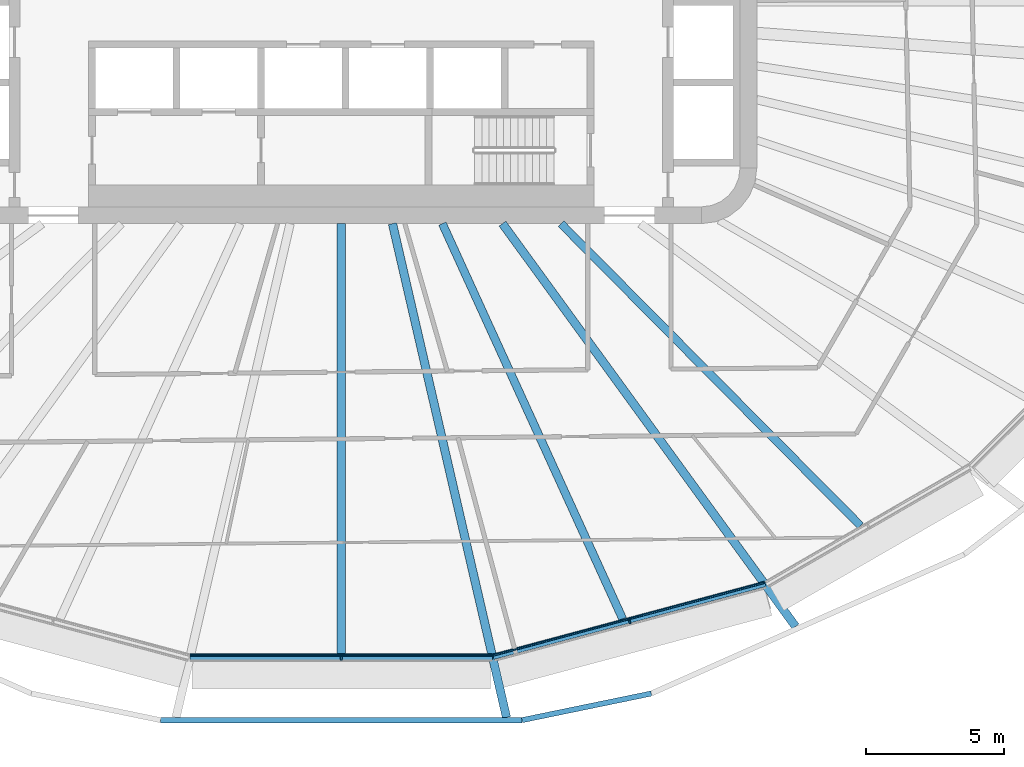
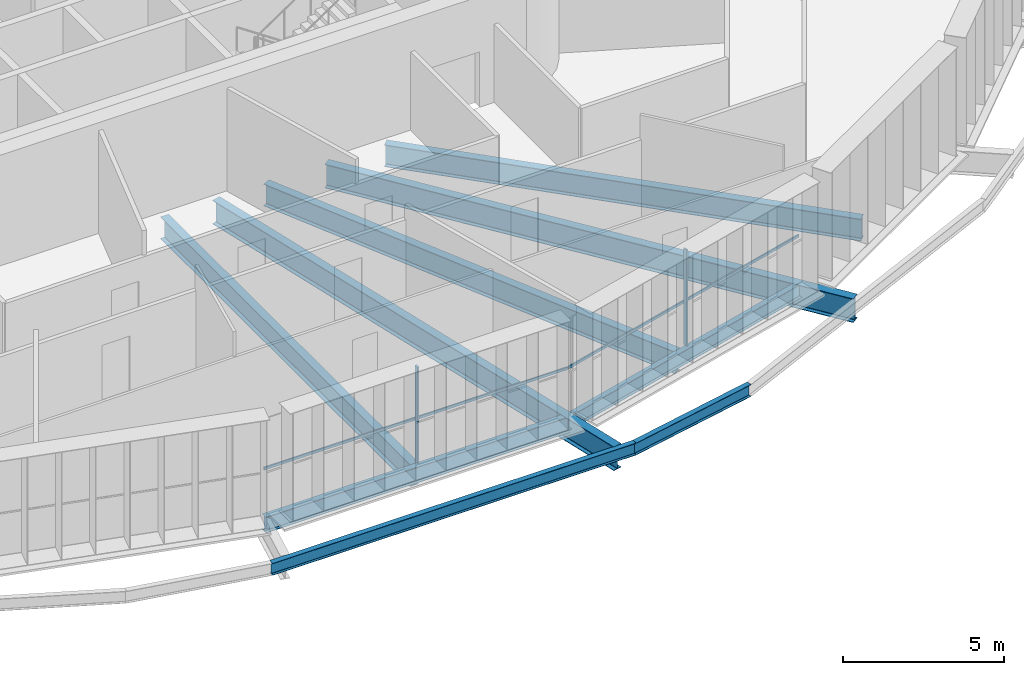
# One storey, part 4 of 26: 9 beams, 4 members, 2 elements without a shape of their own.
"""IFC4 building model written with IfcOpenShell, lengths in metres."""

from ifc_helpers import new_model, si_unit, direction, frame, origin, origin_2d, place, context, subcontext, project, spatial, rectangle, i_section, extrude, material, layer, layer_set, material_profile, profile_set, type_object, element, aggregate, save


model = new_model("IFC4")

# Units and contexts
model_context = context("Model", 3, precision=1e-05, world=origin(), true_north=direction((0.0, 1.0)))
body_context = subcontext(model_context, "Body", "Model", "MODEL_VIEW")
ifc_project = project(units=[si_unit("LENGTHUNIT", "METRE"), si_unit("AREAUNIT", "SQUARE_METRE"), si_unit("VOLUMEUNIT", "CUBIC_METRE"), si_unit("PLANEANGLEUNIT", "RADIAN"), si_unit("MASSUNIT", "GRAM", prefix="KILO")], contexts=[model_context])

# Site, building, storey
site_placement = place(None, origin())
site = spatial("IfcSite", under=ifc_project, at=site_placement, CompositionType="ELEMENT")
building_placement = place(site_placement, origin())
building = spatial("IfcBuilding", under=site, at=building_placement, Name="Sahrelin Media Tower", CompositionType="ELEMENT")
storey_placement = place(building_placement, frame((0.0, 0.0, 92.39990234375)))
storey = spatial("IfcBuildingStorey", under=building, at=storey_placement, Name="L17", CompositionType="ELEMENT", Elevation=92.39990234375)

# Beams
ifc_material_1 = material(Name="Steel S355", Category="steel")
ifc_material_profile_1 = material_profile(ifc_material_1, i_section(OverallWidth=0.208740234375, OverallDepth=0.5283203125, WebThickness=0.009521484375, FlangeThickness=0.01318359375, FilletRadius=0.0126953125, at=origin_2d()), Name="UB 533x210x82")
ifc_profile_set_1 = profile_set([ifc_material_profile_1], Name="Steel S355")
beam_type_1 = type_object("IfcBeamType", Name="Edge beam EB6", PredefinedType="BEAM", material=ifc_profile_set_1)
beam_1_placement = place(storey_placement, frame((15.306396484375, -21.001708984375, -0.4140625), z_axis=(-0.965923284876, -0.258828529599, 0.0), x_axis=(0.258828529599, -0.965923284876, 0.0)))
element("IfcBeam", 1, at=beam_1_placement, inside=storey, type_object=beam_type_1, Name="Edge beam L17-06", PredefinedType="BEAM", context=body_context, shape_type="SweptSolid", body=[
    extrude(i_section(OverallWidth=0.208740234375, OverallDepth=0.5283203125, WebThickness=0.009521484375, FlangeThickness=0.01318359375, FilletRadius=0.0126953125, at=origin_2d()), origin(), (0.0, 0.0, 1.0), 10.16455078125),
])
ifc_material_profile_2 = material_profile(ifc_material_1, i_section(OverallWidth=0.2275390625, OverallDepth=0.6025390625, WebThickness=0.010498046875, FlangeThickness=0.014892578125, FilletRadius=0.0126953125, at=origin_2d()), Name="UB 610x229x101")
ifc_profile_set_2 = profile_set([ifc_material_profile_2], Name="Steel S355")
beam_type_2 = type_object("IfcBeamType", Name="Edge beam EB7", PredefinedType="BEAM", material=ifc_profile_set_2)
beam_2_placement = place(storey_placement, frame((5.459716796875, -23.63623046875, -0.451171875), z_axis=(-1.0, 0.0, 0.0), x_axis=(0.0, -1.0, 0.0)))
element("IfcBeam", 2, at=beam_2_placement, inside=storey, type_object=beam_type_2, Name="Edge beam L17-07", PredefinedType="BEAM", context=body_context, shape_type="SweptSolid", body=[
    extrude(i_section(OverallWidth=0.2275390625, OverallDepth=0.6025390625, WebThickness=0.010498046875, FlangeThickness=0.014892578125, FilletRadius=0.0126953125, at=origin_2d()), origin(), (0.0, 0.0, 1.0), 10.91943359375),
])

# Curtain wall, member
ifc_material_2 = material(Name="Champagne anodised aluminium 6063-T6", Category="aluminium")
ifc_layer = layer(ifc_material_2, 0.14990234375)
ifc_layer_set = layer_set([ifc_layer], Name="Tower ribbon curtain wall")
curtain_wall_type = type_object("IfcCurtainWallType", Name="Tower ribbon curtain wall", PredefinedType="NOTDEFINED", material=ifc_layer_set)
curtain_wall_1_placement = place(storey_placement, frame((0.0, -23.786376953125, 0.0), z_axis=(0.0, 0.0, 1.0), x_axis=(1.0, 0.0, 0.0)))
curtain_wall_1 = element("IfcCurtainWall", 3, at=curtain_wall_1_placement, inside=storey, type_object=curtain_wall_type, Name="L17:CW:L17-18", PredefinedType="NOTDEFINED")
ifc_material_profile_3 = material_profile(ifc_material_2, rectangle(XDim=0.06005859375, YDim=0.14990234375, at=origin_2d()), Name="Mullion 60x150")
ifc_profile_set_3 = profile_set([ifc_material_profile_3], Name="Champagne anodised aluminium 6063-T6")
member_type_1 = type_object("IfcMemberType", Name="Mullion 60x150 CW1", PredefinedType="MULLION", material=ifc_profile_set_3)
member_1_placement = place(storey_placement, frame((0.0, -23.69140625, 0.0), z_axis=(0.0, 0.0, 1.0), x_axis=(1.0, 0.0, 0.0)))
member_1 = element("IfcMember", 4, at=member_1_placement, type_object=member_type_1, Name="L17:CWM:L17-18", PredefinedType="MULLION", context=body_context, shape_type="SweptSolid", body=[
    extrude(rectangle(XDim=0.06005859375, YDim=0.14990234375, at=origin_2d()), origin(), (0.0, 0.0, 1.0), 3.648681640625),
])

curtain_wall_2_placement = place(storey_placement, frame((10.436279296875, -22.462158203125, 0.0), z_axis=(0.0, 0.0, 1.0), x_axis=(1.0, 0.0, 0.0)))
curtain_wall_2 = element("IfcCurtainWall", 5, at=curtain_wall_2_placement, inside=storey, type_object=curtain_wall_type, Name="L17:CW:L17-19", PredefinedType="NOTDEFINED")
member_2_placement = place(storey_placement, frame((10.41162109375, -22.370361328125, 0.0), z_axis=(0.0, 0.0, 1.0), x_axis=(0.965926278012, 0.258817359244, 0.0)))
member_2 = element("IfcMember", 6, at=member_2_placement, type_object=member_type_1, Name="L17:CWM:L17-19", PredefinedType="MULLION", context=body_context, shape_type="SweptSolid", body=[
    extrude(rectangle(XDim=0.06005859375, YDim=0.14990234375, at=origin_2d()), origin(), (0.0, 0.0, 1.0), 3.648681640625),
])

# Beams
ifc_material_profile_4 = material_profile(ifc_material_1, i_section(OverallWidth=0.30322265625, OverallDepth=0.903076171875, WebThickness=0.01513671875, FlangeThickness=0.020263671875, FilletRadius=0.01904296875, at=origin_2d()), Name="UB 914x305x201")
ifc_profile_set_4 = profile_set([ifc_material_profile_4], Name="Steel S355")
beam_type_3 = type_object("IfcBeamType", Name="Radial primary beam PB11", PredefinedType="BEAM", material=ifc_profile_set_4)
beam_3_placement = place(storey_placement, frame((1.847900390625, -8.0, -0.601318359375), z_axis=(0.225039759271, -0.974349581386, 0.0), x_axis=(0.974349581386, 0.225039759271, 0.0)))
element("IfcBeam", 7, at=beam_3_placement, inside=storey, type_object=beam_type_3, Name="Radial beam L17-19", PredefinedType="BEAM", context=body_context, shape_type="SweptSolid", body=[
    extrude(i_section(OverallWidth=0.30322265625, OverallDepth=0.903076171875, WebThickness=0.01513671875, FlangeThickness=0.020263671875, FilletRadius=0.01904296875, at=origin_2d()), origin(), (0.0, 0.0, 1.0), 18.2998046875),
])
beam_4_placement = place(storey_placement, frame((5.8203125, -8.0, -0.601318359375), z_axis=(0.588301637605, -0.808641566574, 0.0), x_axis=(0.808641566574, 0.588301637605, 0.0)))
element("IfcBeam", 8, at=beam_4_placement, inside=storey, type_object=beam_type_3, Name="Radial beam L17-20", PredefinedType="BEAM", context=body_context, shape_type="SweptSolid", body=[
    extrude(i_section(OverallWidth=0.30322265625, OverallDepth=0.903076171875, WebThickness=0.01513671875, FlangeThickness=0.020263671875, FilletRadius=0.01904296875, at=origin_2d()), origin(), (0.0, 0.0, 1.0), 17.9853515625),
])
ifc_material_profile_5 = material_profile(ifc_material_1, i_section(OverallWidth=0.291748046875, OverallDepth=0.8349609375, WebThickness=0.013916015625, FlangeThickness=0.018798828125, FilletRadius=0.017822265625, at=origin_2d()), Name="UB 838x292x176")
ifc_profile_set_5 = profile_set([ifc_material_profile_5], Name="Steel S355")
beam_type_4 = type_object("IfcBeamType", Name="Radial secondary beam SB10", PredefinedType="BEAM", material=ifc_profile_set_5)
beam_5_placement = place(storey_placement, frame((0.0, -8.0, -0.5673828125), z_axis=(0.0, -1.0, 0.0), x_axis=(1.0, 0.0, 0.0)))
element("IfcBeam", 9, at=beam_5_placement, inside=storey, type_object=beam_type_4, Name="Secondary beam L17-18", PredefinedType="BEAM", context=body_context, shape_type="SweptSolid", body=[
    extrude(i_section(OverallWidth=0.291748046875, OverallDepth=0.8349609375, WebThickness=0.013916015625, FlangeThickness=0.018798828125, FilletRadius=0.017822265625, at=origin_2d()), origin(), (0.0, 0.0, 1.0), 15.5224609375),
])
beam_6_placement = place(storey_placement, frame((3.6494140625, -8.0, -0.5673828125), z_axis=(0.415038402282, -0.909803893502, 0.0), x_axis=(0.909803893502, 0.415038402282, 0.0)))
element("IfcBeam", 10, at=beam_6_placement, inside=storey, type_object=beam_type_4, Name="Secondary beam L17-19", PredefinedType="BEAM", context=body_context, shape_type="SweptSolid", body=[
    extrude(i_section(OverallWidth=0.291748046875, OverallDepth=0.8349609375, WebThickness=0.013916015625, FlangeThickness=0.018798828125, FilletRadius=0.017822265625, at=origin_2d()), origin(), (0.0, 0.0, 1.0), 15.687744140625),
])
beam_7_placement = place(storey_placement, frame((7.93115234375, -8.0, -0.5673828125), z_axis=(0.704056941584, -0.710143522823, 0.0), x_axis=(0.710143522823, 0.704056941584, 0.0)))
element("IfcBeam", 11, at=beam_7_placement, inside=storey, type_object=beam_type_4, Name="Secondary beam L17-20", PredefinedType="BEAM", context=body_context, shape_type="SweptSolid", body=[
    extrude(i_section(OverallWidth=0.291748046875, OverallDepth=0.8349609375, WebThickness=0.013916015625, FlangeThickness=0.018798828125, FilletRadius=0.017822265625, at=origin_2d()), origin(), (0.0, 0.0, 1.0), 15.362548828125),
])
ifc_material_profile_6 = material_profile(ifc_material_1, i_section(OverallWidth=0.1904296875, OverallDepth=0.45703125, WebThickness=0.009033203125, FlangeThickness=0.014404296875, FilletRadius=0.01025390625, at=origin_2d()), Name="UB 457x191x74")
ifc_profile_set_6 = profile_set([ifc_material_profile_6], Name="Steel S355")
beam_type_5 = type_object("IfcBeamType", Name="Tie chord TC5", PredefinedType="BEAM", material=ifc_profile_set_6)
beam_8_placement = place(storey_placement, frame((-6.52392578125, -25.925537109375, -0.37841796875), z_axis=(1.0, 0.0, 0.0), x_axis=(0.0, 1.0, 0.0)))
element("IfcBeam", 12, at=beam_8_placement, inside=storey, type_object=beam_type_5, Name="Tie chord L17-18", PredefinedType="BEAM", context=body_context, shape_type="SweptSolid", body=[
    extrude(i_section(OverallWidth=0.1904296875, OverallDepth=0.45703125, WebThickness=0.009033203125, FlangeThickness=0.014404296875, FilletRadius=0.01025390625, at=origin_2d()), origin(), (0.0, 0.0, 1.0), 13.0478515625),
])
beam_9_placement = place(storey_placement, frame((6.52392578125, -25.925537109375, -0.37841796875), z_axis=(0.979386751897, 0.201994035084, 0.0), x_axis=(-0.201994035084, 0.979386751897, 0.0)))
element("IfcBeam", 13, at=beam_9_placement, inside=storey, type_object=beam_type_5, Name="Tie chord L17-19", PredefinedType="BEAM", context=body_context, shape_type="SweptSolid", body=[
    extrude(i_section(OverallWidth=0.1904296875, OverallDepth=0.45703125, WebThickness=0.009033203125, FlangeThickness=0.014404296875, FilletRadius=0.01025390625, at=origin_2d()), origin(), (0.0, 0.0, 1.0), 4.765625),
])

# Member
ifc_material_profile_7 = material_profile(ifc_material_2, rectangle(XDim=0.050048828125, YDim=0.10009765625, at=origin_2d()), Name="Transom 50x100")
ifc_profile_set_7 = profile_set([ifc_material_profile_7], Name="Champagne anodised aluminium 6063-T6")
member_type_2 = type_object("IfcMemberType", Name="Transom 50x100 CW1", PredefinedType="USERDEFINED", material=ifc_profile_set_7)
member_3_placement = place(storey_placement, frame((-5.444091796875, -23.59130859375, 1.60009765625), z_axis=(1.0, 0.0, 0.0), x_axis=(0.0, 1.0, 0.0)))
member_3 = element("IfcMember", 14, at=member_3_placement, type_object=member_type_2, Name="L17:CWT:L17-18", ObjectType="TRANSOM", PredefinedType="USERDEFINED", context=body_context, shape_type="SweptSolid", body=[
    extrude(rectangle(XDim=0.050048828125, YDim=0.10009765625, at=origin_2d()), origin(), (0.0, 0.0, 1.0), 10.88818359375),
])

aggregate(curtain_wall_1, [member_1, member_3])

member_4_placement = place(storey_placement, frame((5.49169921875, -23.5849609375, 1.60009765625), z_axis=(0.965927940896, 0.258811153154, 0.0), x_axis=(-0.258811153154, 0.965927940896, 0.0)))
member_4 = element("IfcMember", 15, at=member_4_placement, type_object=member_type_2, Name="L17:CWT:L17-19", ObjectType="TRANSOM", PredefinedType="USERDEFINED", context=body_context, shape_type="SweptSolid", body=[
    extrude(rectangle(XDim=0.050048828125, YDim=0.10009765625, at=origin_2d()), origin(), (0.0, 0.0, 1.0), 10.133056640625),
])

aggregate(curtain_wall_2, [member_2, member_4])

save(model, "model.ifc")
